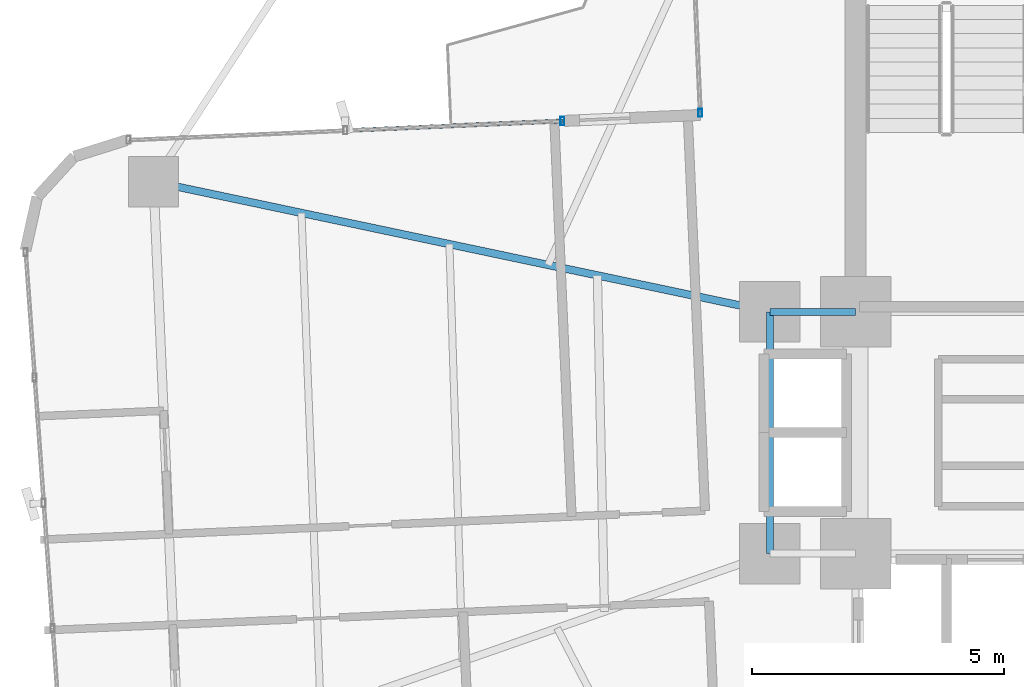
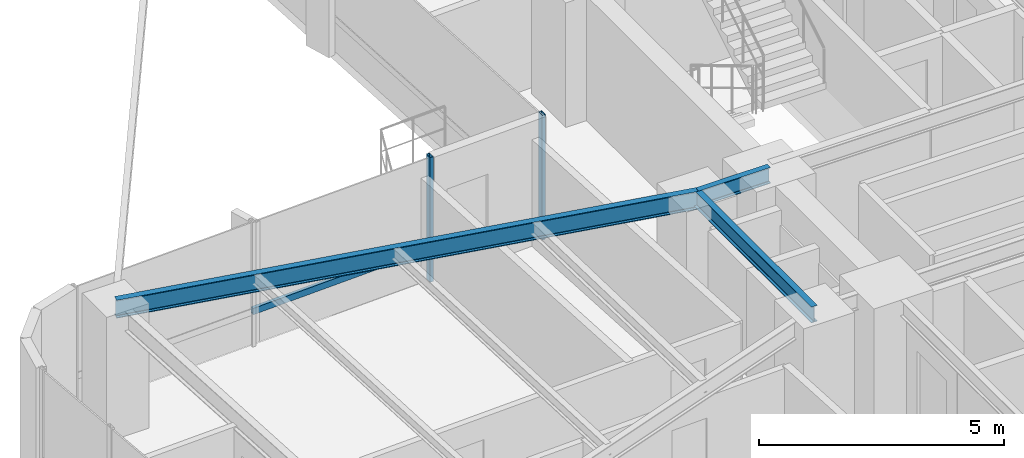
# One storey, part 10 of 26: 3 beams, 3 members, 2 elements without a shape of their own.
"""IFC4 building model written with IfcOpenShell, lengths in metres."""

from ifc_helpers import new_model, si_unit, direction, frame, origin, origin_2d, place, context, subcontext, project, spatial, hollow_rectangle, i_section, extrude, source, transform, mapped, material, material_profile, profile_set, type_object, element, aggregate, save


model = new_model("IFC4")

# Units and contexts
model_context = context("Model", 3, precision=1e-05, world=origin(), true_north=direction((0.0, 1.0)))
body_context = subcontext(model_context, "Body", "Model", "MODEL_VIEW")
ifc_project = project(units=[si_unit("LENGTHUNIT", "METRE"), si_unit("AREAUNIT", "SQUARE_METRE"), si_unit("VOLUMEUNIT", "CUBIC_METRE"), si_unit("PLANEANGLEUNIT", "RADIAN"), si_unit("MASSUNIT", "GRAM", prefix="KILO")], contexts=[model_context])

# Site, building, storey
site_placement = place(None, origin())
site = spatial("IfcSite", under=ifc_project, at=site_placement, CompositionType="ELEMENT")
building_placement = place(site_placement, origin())
building = spatial("IfcBuilding", under=site, at=building_placement, Name="Sahyath Konkavel Grand Hotel", CompositionType="ELEMENT")
storey_placement = place(building_placement, frame((0.0, 0.0, 100.25)))
storey = spatial("IfcBuildingStorey", under=building, at=storey_placement, Name="L27", CompositionType="ELEMENT", Elevation=100.25)

# Beams
ifc_material_1 = material(Name="Steel E350", Category="steel")
ifc_material_profile_1 = material_profile(ifc_material_1, i_section(OverallWidth=0.139892578125, OverallDepth=0.39990234375, WebThickness=0.0087890625, FlangeThickness=0.01611328125, FilletRadius=0.013916015625, at=origin_2d()), Name="ISMB 400")
ifc_profile_set_1 = profile_set([ifc_material_profile_1], Name="Steel E350")
beam_type_1 = type_object("IfcBeamType", Name="BM-ISMB400", PredefinedType="BEAM", material=ifc_profile_set_1)
shared_shape_1 = source(origin(), body_context, "Body", "SweptSolid", [
    extrude(i_section(OverallWidth=0.139892578125, OverallDepth=0.39990234375, WebThickness=0.0087890625, FlangeThickness=0.01611328125, FilletRadius=0.013916015625, at=origin_2d()), origin(), (0.0, 0.0, 1.0), 1.699951171875),
])
beam_1_placement = place(storey_placement, frame((-5.5, 2.39990234375, 2.909912109375), z_axis=(1.0, 0.0, 0.0), x_axis=(0.0, 1.0, 0.0)))
element("IfcBeam", 1, at=beam_1_placement, inside=storey, type_object=beam_type_1, Name="str:bm:L27:HB-NW", PredefinedType="BEAM", context=body_context, shape_type="MappedRepresentation", body=[
    mapped(shared_shape_1, transform((0.0, 0.0, 0.0), scale=1.0)),
])
shared_shape_2 = source(origin(), body_context, "Body", "SweptSolid", [
    extrude(i_section(OverallWidth=0.139892578125, OverallDepth=0.39990234375, WebThickness=0.0087890625, FlangeThickness=0.01611328125, FilletRadius=0.013916015625, at=origin_2d()), origin(), (0.0, 0.0, 1.0), 4.7998046875),
])
beam_2_placement = place(storey_placement, frame((-5.5, -2.39990234375, 2.909912109375), z_axis=(0.0, 1.0, 0.0), x_axis=(-1.0, 0.0, 0.0)))
element("IfcBeam", 2, at=beam_2_placement, inside=storey, type_object=beam_type_1, Name="str:bm:L27:HB-W", PredefinedType="BEAM", context=body_context, shape_type="MappedRepresentation", body=[
    mapped(shared_shape_2, transform((0.0, 0.0, 0.0), scale=1.0)),
])
ifc_material_profile_2 = material_profile(ifc_material_1, i_section(OverallWidth=0.14990234375, OverallDepth=0.449951171875, WebThickness=0.009521484375, FlangeThickness=0.017333984375, FilletRadius=0.014892578125, at=origin_2d()), Name="ISMB 450")
ifc_profile_set_2 = profile_set([ifc_material_profile_2], Name="Steel E350")
beam_type_2 = type_object("IfcBeamType", Name="BM-ISMB450", PredefinedType="BEAM", material=ifc_profile_set_2)
shared_shape_3 = source(origin(), body_context, "Body", "SweptSolid", [
    extrude(i_section(OverallWidth=0.14990234375, OverallDepth=0.449951171875, WebThickness=0.009521484375, FlangeThickness=0.017333984375, FilletRadius=0.014892578125, at=origin_2d()), origin(), (0.0, 0.0, 1.0), 12.50341796875),
])
beam_3_placement = place(storey_placement, frame((-5.5, 2.39990234375, 2.885009765625), z_axis=(-0.978457911392, 0.206446398937, 0.0), x_axis=(-0.206446398937, -0.978457911392, 0.0)))
element("IfcBeam", 3, at=beam_3_placement, inside=storey, type_object=beam_type_2, Name="L27 Cruciform Radial Girder WA", PredefinedType="BEAM", context=body_context, shape_type="MappedRepresentation", body=[
    mapped(shared_shape_3, transform((0.0, 0.0, 0.0), scale=1.0)),
])

# Curtain wall, member
ifc_material_2 = material(Name="Anodised Bronze Aluminium & Low-E Glazing", Category="aluminium")
curtain_wall_type = type_object("IfcCurtainWallType", Name="CW-ZONE2", PredefinedType="NOTDEFINED", material=ifc_material_2)
curtain_wall_1_placement = place(storey_placement, origin())
curtain_wall_1 = element("IfcCurtainWall", 4, at=curtain_wall_1_placement, inside=storey, type_object=curtain_wall_type, Name="L27 Unitised Curtain Wall F15", PredefinedType="NOTDEFINED")
ifc_material_3 = material(Name="Anodised Bronze Aluminium", Category="aluminium")
ifc_material_profile_3 = material_profile(ifc_material_3, hollow_rectangle(XDim=0.080078125, YDim=0.159912109375, WallThickness=0.006103515625, at=origin_2d()), Name="RHS 160x80x6")
ifc_profile_set_3 = profile_set([ifc_material_profile_3], Name="Anodised Bronze Aluminium")
member_type_1 = type_object("IfcMemberType", Name="CW-MUL-160", PredefinedType="MULLION", material=ifc_profile_set_3)
shared_shape_4 = source(origin(), body_context, "Body", "SweptSolid", [
    extrude(hollow_rectangle(XDim=0.080078125, YDim=0.159912109375, WallThickness=0.006103515625, at=origin_2d()), origin(), (0.0, 0.0, 1.0), 3.110107421875),
])
member_1_placement = place(storey_placement, frame((-6.88330078125, 6.345703125, 0.0), z_axis=(0.0, 0.0, 1.0), x_axis=(1.0, 0.0, 0.0)))
member_1 = element("IfcMember", 5, at=member_1_placement, type_object=member_type_1, Name="L27 Curtain Wall Mullion F15-2", PredefinedType="MULLION", context=body_context, shape_type="MappedRepresentation", body=[
    mapped(shared_shape_4, transform((0.0, 0.0, 0.0), scale=1.0)),
])
aggregate(curtain_wall_1, [member_1])

# Curtain wall, members
curtain_wall_2_placement = place(storey_placement, origin())
curtain_wall_2 = element("IfcCurtainWall", 6, at=curtain_wall_2_placement, inside=storey, type_object=curtain_wall_type, Name="L27 Unitised Curtain Wall F16", PredefinedType="NOTDEFINED")
member_2_placement = place(storey_placement, frame((-9.618896484375, 6.186279296875, 0.0), z_axis=(0.0, 0.0, 1.0), x_axis=(1.0, 0.0, 0.0)))
member_2 = element("IfcMember", 7, at=member_2_placement, type_object=member_type_1, Name="L27 Curtain Wall Mullion F16-0", PredefinedType="MULLION", context=body_context, shape_type="MappedRepresentation", body=[
    mapped(shared_shape_4, transform((0.0, 0.0, 0.0), scale=1.0)),
])
ifc_material_profile_4 = material_profile(ifc_material_3, hollow_rectangle(XDim=0.080078125, YDim=0.159912109375, WallThickness=0.006103515625, at=origin_2d()), Name="RHS 160x80x6")
ifc_profile_set_4 = profile_set([ifc_material_profile_4], Name="Anodised Bronze Aluminium")
member_type_2 = type_object("IfcMemberType", Name="CW-TRN-160", PredefinedType="USERDEFINED", material=ifc_profile_set_4)
shared_shape_5 = source(origin(), body_context, "Body", "SweptSolid", [
    extrude(hollow_rectangle(XDim=0.080078125, YDim=0.159912109375, WallThickness=0.006103515625, at=origin_2d()), origin(), (0.0, 0.0, 1.0), 4.31005859375),
])
member_3_placement = place(storey_placement, frame((-9.618896484375, 6.186279296875, 0.85009765625), z_axis=(-0.999048340188, -0.043616670746, 0.0), x_axis=(0.043616670746, -0.999048340188, 0.0)))
member_3 = element("IfcMember", 8, at=member_3_placement, type_object=member_type_2, Name="L27 Curtain Wall Transom F16-0-spandrel", ObjectType="TRANSOM", PredefinedType="USERDEFINED", context=body_context, shape_type="MappedRepresentation", body=[
    mapped(shared_shape_5, transform((0.0, 0.0, 0.0), scale=1.0)),
])
aggregate(curtain_wall_2, [member_2, member_3])

save(model, "model.ifc")
